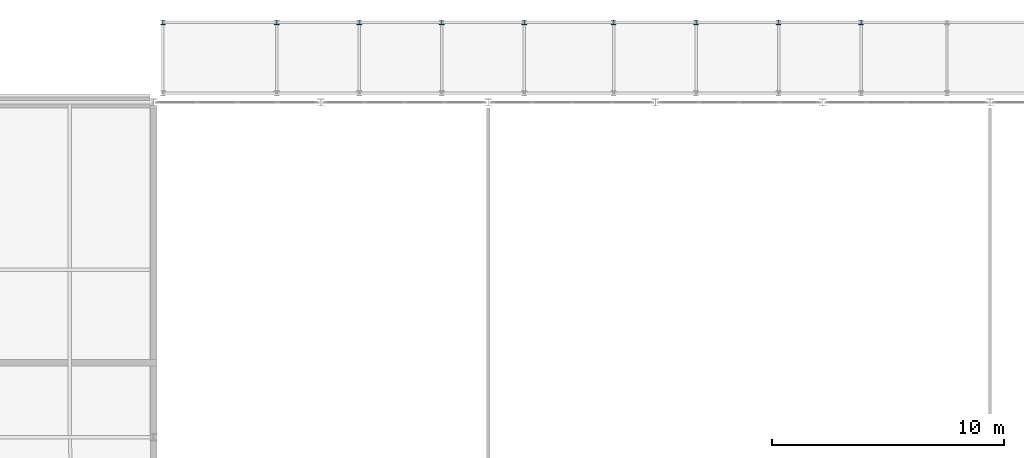
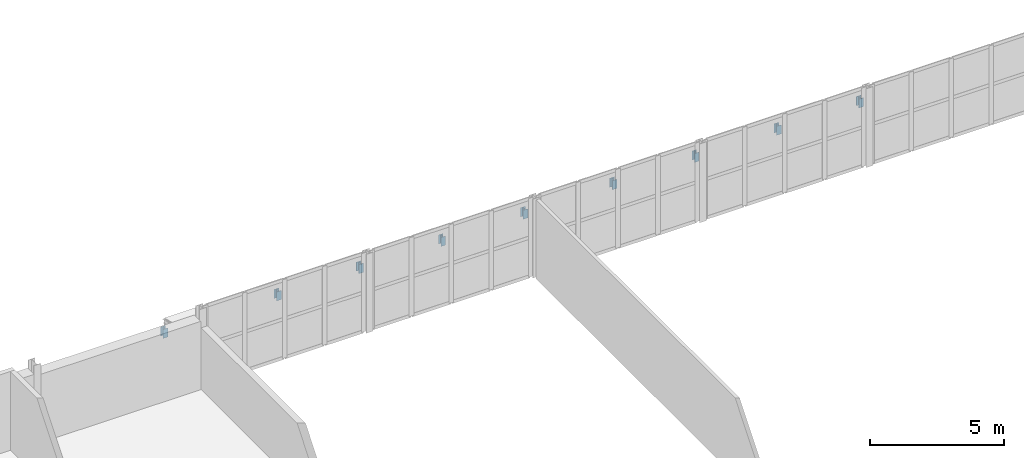
# One storey, part 25 of 124: 9 columns.
"""IFC4 building model written with IfcOpenShell, lengths in metres."""

from ifc_helpers import new_model, si_unit, direction, frame, origin, origin_2d, place, context, subcontext, project, spatial, i_section, extrude, material, material_profile, profile_set, type_object, element, save


model = new_model("IFC4")

# Units and contexts
model_context = context("Model", 3, precision=1e-05, world=origin(), true_north=direction((0.0, 1.0)))
body_context = subcontext(model_context, "Body", "Model", "MODEL_VIEW")
ifc_project = project(units=[si_unit("LENGTHUNIT", "METRE"), si_unit("AREAUNIT", "SQUARE_METRE"), si_unit("VOLUMEUNIT", "CUBIC_METRE"), si_unit("PLANEANGLEUNIT", "RADIAN"), si_unit("MASSUNIT", "GRAM", prefix="KILO")], contexts=[model_context])

# Site, building, storey
site_placement = place(None, origin())
site = spatial("IfcSite", under=ifc_project, at=site_placement, CompositionType="ELEMENT")
building_placement = place(site_placement, origin())
building = spatial("IfcBuilding", under=site, at=building_placement, Name="Kupolbacken Congress Centre", CompositionType="ELEMENT")
storey_placement = place(building_placement, frame((0.0, 0.0, 10.800048828125)))
storey = spatial("IfcBuildingStorey", under=building, at=storey_placement, Name="L03", CompositionType="ELEMENT", Elevation=10.800048828125)

# Columns
ifc_material = material(Name="Steel S355", Category="steel")
ifc_material_profile = material_profile(ifc_material, i_section(OverallWidth=0.199951171875, OverallDepth=0.199951171875, WebThickness=0.009033203125, FlangeThickness=0.014892578125, FilletRadius=0.01806640625, at=origin_2d()), Name="HEB 200")
ifc_profile_set = profile_set([ifc_material_profile], Name="Steel S355")
column_type = type_object("IfcColumnType", Name="C11 column HEB 200", PredefinedType="COLUMN", material=ifc_profile_set)
for number, where, z_axis, x_axis, name in (
    (1, (151.60009765625, 154.64990234375, 0.0), (0.0, 0.0, 1.0), (1.0, 0.0, 0.0), "Covered passage column"),
    (2, (156.5, 154.64990234375, 0.0), (0.0, 0.0, 1.0), (1.0, 0.0, 0.0), "Covered passage column"),
    (3, (160.050048828125, 154.64990234375, 0.0), (0.0, 0.0, 1.0), (1.0, 0.0, 0.0), "Covered passage column"),
    (4, (163.60009765625, 154.64990234375, 0.0), (0.0, 0.0, 1.0), (1.0, 0.0, 0.0), "Covered passage column"),
    (5, (167.14990234375, 154.64990234375, 0.0), (0.0, 0.0, 1.0), (1.0, 0.0, 0.0), "Covered passage column"),
    (6, (171.0, 154.64990234375, 0.0), (0.0, 0.0, 1.0), (1.0, 0.0, 0.0), "Covered passage column"),
    (7, (174.550048828125, 154.64990234375, 0.0), (0.0, 0.0, 1.0), (1.0, 0.0, 0.0), "Covered passage column"),
    (8, (178.10009765625, 154.64990234375, 0.0), (0.0, 0.0, 1.0), (1.0, 0.0, 0.0), "Covered passage column"),
    (9, (181.64990234375, 154.64990234375, 0.0), (0.0, 0.0, 1.0), (1.0, 0.0, 0.0), "Covered passage column"),
):
    element("IfcColumn", number, at=place(storey_placement, frame(where, z_axis=z_axis, x_axis=x_axis)), inside=storey, type_object=column_type, Name=name, PredefinedType="COLUMN", context=body_context, shape_type="SweptSolid", body=[
        extrude(i_section(OverallWidth=0.199951171875, OverallDepth=0.199951171875, WebThickness=0.009033203125, FlangeThickness=0.014892578125, FilletRadius=0.01806640625, at=origin_2d()), origin(), (0.0, 0.0, 1.0), 0.409912109375),
    ])

save(model, "model.ifc")
